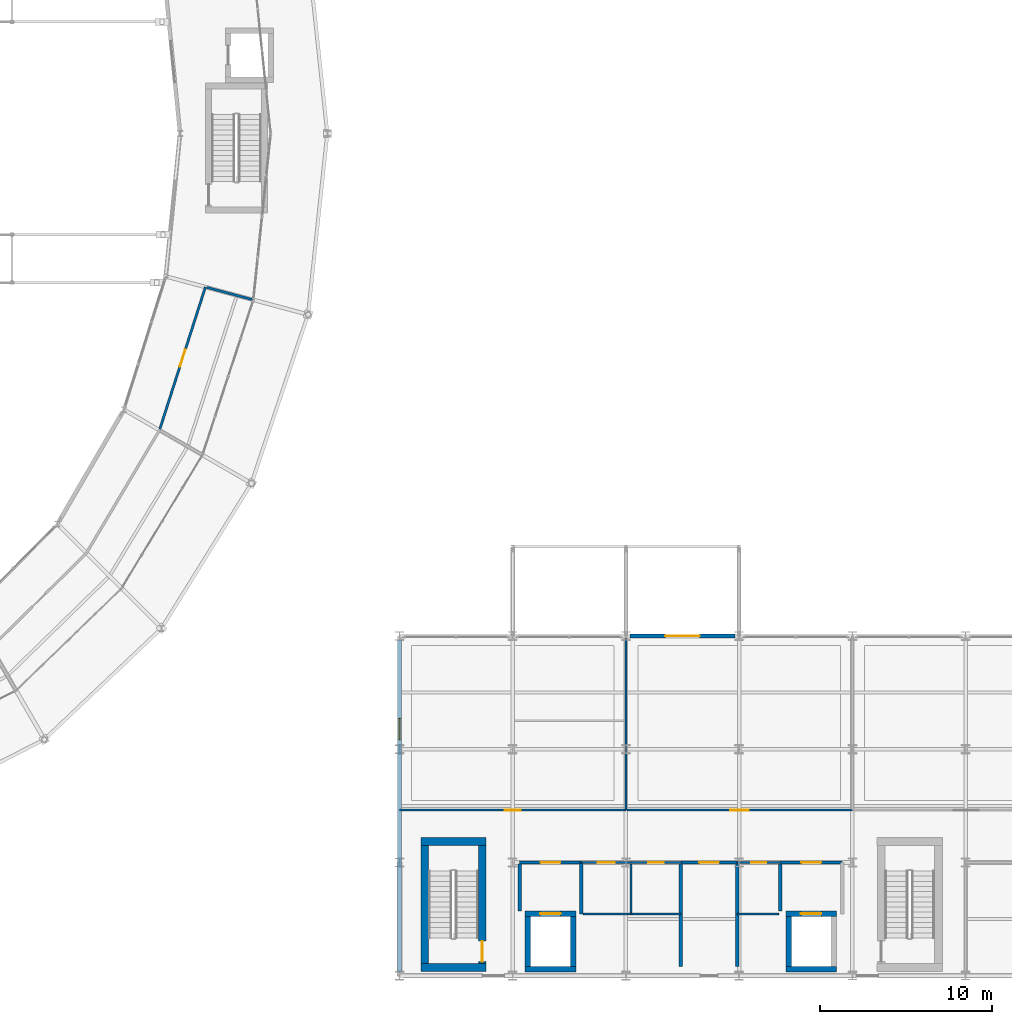
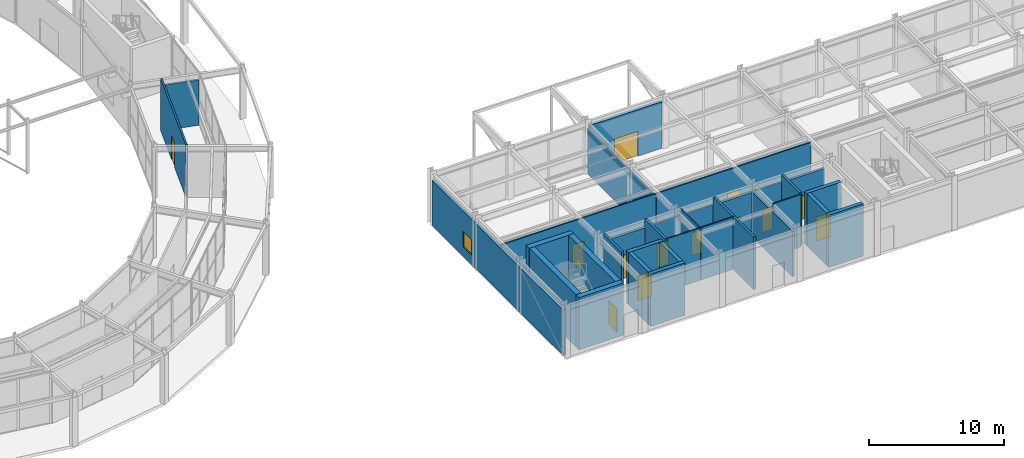
# One storey, part 124 of 144: 33 walls, 13 doors, 1 window, 14 openings.
"""IFC4 building model written with IfcOpenShell, lengths in metres."""

import ifcopenshell
import ifcopenshell.guid

model = None  # the IFC model being written
_history = None  # IfcOwnerHistory: only IFC2X3 demands one
_inside = {}  # id of a spatial element -> (the spatial element, [elements in it])
_under = {}  # id of a project, library or spatial element -> (it, [spatial elements below it])
_declared = {}  # id of a project -> (the project, [libraries it declares])
_typed = {}  # id of a type object -> (the type object, [elements of that type])
_made_of = {}  # id of a material, layer set ... -> (it, [elements and type objects made of it])


def new_model(schema):
    """Start an empty IFC model of exactly this schema.

    Asked for "IFC4X3", IfcOpenShell would pick the latest addendum, in which some entities
    have other attributes; the version numbers below select the first issue.
    IFC2X3 requires an IfcOwnerHistory on every rooted entity: one is made here for all.
    """
    global model, _history
    if schema == "IFC4X3":
        model = ifcopenshell.file(schema_version=(4, 3, 0, 0))
    else:
        model = ifcopenshell.file(schema=schema)
    _inside.clear()
    _under.clear()
    _declared.clear()
    _typed.clear()
    _made_of.clear()
    _history = None
    if model.schema == "IFC2X3":
        org = make("IfcOrganization", Name="unknown")
        user = make(
            "IfcPersonAndOrganization",
            ThePerson=make("IfcPerson", FamilyName="unknown"),
            TheOrganization=org,
        )
        app = make(
            "IfcApplication",
            ApplicationDeveloper=org,
            Version="unknown",
            ApplicationFullName="unknown",
            ApplicationIdentifier="unknown",
        )
        _history = make(
            "IfcOwnerHistory",
            OwningUser=user,
            OwningApplication=app,
            ChangeAction="ADDED",
            CreationDate=0,
        )
    return model


def make(cls, **values):
    """One entity of the class cls with the attributes given. An attribute that is None is left unset."""
    return model.create_entity(
        cls, **{name: value for name, value in values.items() if value is not None}
    )


def rooted(cls, **values):
    """An entity with a GlobalId (a new one), such as an element, a storey or a relation."""
    return make(cls, GlobalId=ifcopenshell.guid.new(), OwnerHistory=_history, **values)


def si_unit(unit_type, name, prefix=None):
    """IfcSIUnit, for example si_unit("LENGTHUNIT", "METRE", prefix="MILLI")."""
    return make("IfcSIUnit", UnitType=unit_type, Prefix=prefix, Name=name)


def assignment(units):
    """IfcUnitAssignment: the units of a project."""
    return None if units is None else make("IfcUnitAssignment", Units=units)


def point(xyz):
    """IfcCartesianPoint."""
    return None if xyz is None else make("IfcCartesianPoint", Coordinates=xyz)


def direction(xyz):
    """IfcDirection."""
    return None if xyz is None else make("IfcDirection", DirectionRatios=xyz)


def frame(location, z_axis=None, x_axis=None):
    """IfcAxis2Placement3D, a coordinate frame: its origin and axes. An axis left out is left unset."""
    return make(
        "IfcAxis2Placement3D",
        Location=point(location),
        Axis=direction(z_axis),
        RefDirection=direction(x_axis),
    )


def frame_2d(location, x_axis=None):
    """IfcAxis2Placement2D, a coordinate frame in the plane: its origin and x axis."""
    return make(
        "IfcAxis2Placement2D", Location=point(location), RefDirection=direction(x_axis)
    )


def origin():
    """The frame at (0, 0, 0) with its axes left unset."""
    return frame((0.0, 0.0, 0.0))


def place(relative_to, where):
    """IfcLocalPlacement: puts the frame where relative to a parent placement (None: the world)."""
    return make(
        "IfcLocalPlacement", PlacementRelTo=relative_to, RelativePlacement=where
    )


def context(
    kind, dimensions, precision=None, world=None, true_north=None, identifier=None
):
    """IfcGeometricRepresentationContext, for example the 3D "Model" context."""
    return make(
        "IfcGeometricRepresentationContext",
        ContextIdentifier=identifier,
        ContextType=kind,
        CoordinateSpaceDimension=dimensions,
        Precision=precision,
        WorldCoordinateSystem=world,
        TrueNorth=true_north,
    )


def subcontext(parent, identifier, kind, view, scale=None):
    """IfcGeometricRepresentationSubContext, for example "Body" below "Model"."""
    return make(
        "IfcGeometricRepresentationSubContext",
        ContextIdentifier=identifier,
        ContextType=kind,
        ParentContext=parent,
        TargetScale=scale,
        TargetView=view,
    )


def project(units=None, contexts=None):
    """IfcProject with its units and contexts."""
    return rooted(
        "IfcProject",
        Name="project",
        RepresentationContexts=contexts,
        UnitsInContext=assignment(units),
    )


def spatial(cls, under=None, at=None, **own):
    """A site, building, storey or space (cls), placed at a placement, below another one or the project."""
    s = rooted(cls, ObjectPlacement=at, **own)
    if under is not None:
        _under.setdefault(under.id(), (under, []))[1].append(s)
    return s


def profile(cls, at=None, kind="AREA", **sizes):
    """A parametric profile (cls). Its sizes go by their IFC names, for example OverallWidth=200.0."""
    return make(cls, ProfileType=kind, Position=at, **sizes)


def rectangle(**sizes):
    """IfcRectangleProfileDef."""
    return profile("IfcRectangleProfileDef", **sizes)


def extrude(swept, where, along, depth):
    """IfcExtrudedAreaSolid: the profile swept, set in the frame where, extruded along a direction by depth."""
    return make(
        "IfcExtrudedAreaSolid",
        SweptArea=swept,
        Position=where,
        ExtrudedDirection=direction(along),
        Depth=depth,
    )


def shape(context_of_items, identifier, shape_type, items):
    """IfcShapeRepresentation: the items that make up one representation, for example the "Body"."""
    return make(
        "IfcShapeRepresentation",
        ContextOfItems=context_of_items,
        RepresentationIdentifier=identifier,
        RepresentationType=shape_type,
        Items=items,
    )


def material(Name=None, Category=None):
    """IfcMaterial."""
    return make("IfcMaterial", Name=Name, Category=Category)


def layer(
    of_material, thickness, ventilated=None, Name=None, Category=None, Priority=None
):
    """IfcMaterialLayer: one layer of a wall or slab, of a material (None: an air gap)."""
    return make(
        "IfcMaterialLayer",
        Material=of_material,
        LayerThickness=thickness,
        IsVentilated=ventilated,
        Name=Name,
        Category=Category,
        Priority=Priority,
    )


def layer_set(layers, Name=None):
    """IfcMaterialLayerSet."""
    return make("IfcMaterialLayerSet", MaterialLayers=layers, LayerSetName=Name)


def made_of(thing, what):
    """Note that an element or type object is made of a material, layer set ...; save() writes the relation."""
    if what is not None:
        _made_of.setdefault(what.id(), (what, []))[1].append(thing)
    return thing


def type_object(cls, material=None, **own):
    """A type object (cls), such as IfcWallType, which elements share."""
    return made_of(rooted(cls, **own), material)


def element(
    cls,
    number,
    at=None,
    inside=None,
    cuts=None,
    type_object=None,
    material=None,
    context=None,
    identifier="Body",
    shape_type=None,
    held_by="IfcProductDefinitionShape",
    body=None,
    shapes=None,
    **own,
):
    """One element of the class cls, such as IfcWall. Its Tag is "e" and its number.

    at: its placement. inside: the storey or other place that contains it. cuts: it is an
    opening in that element (IfcRelVoidsElement). A single representation is given by context,
    identifier, shape_type and body (its items); several are given by shapes. held_by: the class
    of the entity that holds the representations. save() writes the other relations.
    """
    e = rooted(cls, Tag="e%d" % number, ObjectPlacement=at, **own)
    if body is not None:
        shapes = [shape(context, identifier, shape_type, body)]
    if shapes is not None:
        e.Representation = make(held_by, Representations=shapes)
    if inside is not None:
        _inside.setdefault(inside.id(), (inside, []))[1].append(e)
    if cuts is not None:
        rooted(
            "IfcRelVoidsElement", RelatingBuildingElement=cuts, RelatedOpeningElement=e
        )
    if type_object is not None:
        _typed.setdefault(type_object.id(), (type_object, []))[1].append(e)
    return made_of(e, material)


def fill(opening, filler):
    """IfcRelFillsElement: the door or window that sits in an opening."""
    return rooted(
        "IfcRelFillsElement",
        RelatingOpeningElement=opening,
        RelatedBuildingElement=filler,
    )


def aggregate(whole, parts):
    """IfcRelAggregates: a whole, such as a stair, and the parts it consists of."""
    return rooted("IfcRelAggregates", RelatingObject=whole, RelatedObjects=parts)


def save(model, path):
    """Write the relations noted so far, then the file.

    IfcRelAggregates (storeys below a building ...), IfcRelContainedInSpatialStructure (elements
    in a storey), IfcRelDefinesByType, IfcRelAssociatesMaterial and IfcRelDeclares: one each for
    every whole, place, type object, material and project.
    """
    for whole, parts in _under.values():
        aggregate(whole, parts)
    for where, things in _inside.values():
        rooted(
            "IfcRelContainedInSpatialStructure",
            RelatedElements=things,
            RelatingStructure=where,
        )
    for kind, things in _typed.values():
        rooted("IfcRelDefinesByType", RelatedObjects=things, RelatingType=kind)
    for what, things in _made_of.values():
        rooted("IfcRelAssociatesMaterial", RelatedObjects=things, RelatingMaterial=what)
    for by, libraries in _declared.values():
        rooted("IfcRelDeclares", RelatingContext=by, RelatedDefinitions=libraries)
    model.write(path)


model = new_model("IFC4")

# Units and contexts
model_context = context("Model", 3, precision=1e-05, world=origin(), true_north=direction((0.0, 1.0)))
body_context = subcontext(model_context, "Body", "Model", "MODEL_VIEW")
ifc_project = project(units=[si_unit("LENGTHUNIT", "METRE"), si_unit("AREAUNIT", "SQUARE_METRE"), si_unit("VOLUMEUNIT", "CUBIC_METRE"), si_unit("PLANEANGLEUNIT", "RADIAN"), si_unit("MASSUNIT", "GRAM", prefix="KILO")], contexts=[model_context])

# Site, building, storey
site_placement = place(None, origin())
site = spatial("IfcSite", under=ifc_project, at=site_placement, CompositionType="ELEMENT")
building_placement = place(site_placement, origin())
building = spatial("IfcBuilding", under=site, at=building_placement, Name="Karori Crest Natural Sciences Institute", CompositionType="ELEMENT")
storey_placement = place(building_placement, origin())
storey = spatial("IfcBuildingStorey", under=building, at=storey_placement, Name="L00", CompositionType="ELEMENT", Elevation=0.0)

# Walls
ifc_material_1 = material(Name="Concrete 50 MPa", Category="concrete")
ifc_layer_1 = layer(ifc_material_1, 0.449951171875, Name="Concrete 50 MPa")
ifc_layer_set_1 = layer_set([ifc_layer_1], Name="Concrete 50 MPa")
wall_type_1 = type_object("IfcWallType", Name="IWT-01", PredefinedType="SHEAR", material=ifc_layer_set_1)
for number, where, z_axis, x_axis, name in (
    (1, (104.85009765625, 1.27490234375, 0.0), (0.0, 0.0, 1.0), (1.0, 0.0, 0.0), "Shear wall IW-0073"),
    (2, (104.85009765625, 8.625, 0.0), (0.0, 0.0, 1.0), (1.0, 0.0, 0.0), "Shear wall IW-0074"),
):
    element("IfcWall", number, at=place(storey_placement, frame(where, z_axis=z_axis, x_axis=x_axis)), inside=storey, type_object=wall_type_1, Name=name, PredefinedType="SHEAR", context=body_context, shape_type="SweptSolid", body=[
        extrude(rectangle(XDim=3.7998046875, YDim=0.449951171875, at=frame_2d((1.89990234375, 0.0))), origin(), (0.0, 0.0, 1.0), 4.719970703125),
    ])
wall_1_placement = place(storey_placement, frame((105.074951171875, 1.501953125, 0.0), z_axis=(0.0, 0.0, 1.0), x_axis=(0.0, 1.0, 0.0)))
element("IfcWall", 3, at=wall_1_placement, inside=storey, type_object=wall_type_1, Name="Shear wall IW-0075", PredefinedType="SHEAR", context=body_context, shape_type="SweptSolid", body=[
    extrude(rectangle(XDim=6.89599609375, YDim=0.449951171875, at=frame_2d((3.447998046875, 0.0))), origin(), (0.0, 0.0, 1.0), 4.719970703125),
])

# Wall, opening, door
wall_2_placement = place(storey_placement, frame((108.425048828125, 1.501953125, 0.0), z_axis=(0.0, 0.0, 1.0), x_axis=(0.0, 1.0, 0.0)))
wall_2 = element("IfcWall", 4, at=wall_2_placement, inside=storey, type_object=wall_type_1, Name="Shear wall IW-0076", PredefinedType="SHEAR", context=body_context, shape_type="SweptSolid", body=[
    extrude(rectangle(XDim=6.89599609375, YDim=0.449951171875, at=frame_2d((3.447998046875, 0.0))), origin(), (0.0, 0.0, 1.0), 4.719970703125),
])
opening_1_placement = place(wall_2_placement, frame((0.1201171875, 0.0, 0.0)))
opening_1 = element("IfcOpeningElement", 5, at=opening_1_placement, cuts=wall_2, Name="Opening ID-0019", PredefinedType="OPENING", context=body_context, shape_type="SweptSolid", body=[
    extrude(rectangle(XDim=1.199951171875, YDim=2.14990234375, at=frame_2d((0.60009765625, 1.074951171875))), frame((0.0, 0.23486328125, 0.0), z_axis=(0.0, -1.0, 0.0), x_axis=(1.0, 0.0, 0.0)), (0.0, 0.0, 1.0), 0.469970703125),
])
ifc_material_2 = material(Name="Stainless steel 316 and fire-rated timber", Category="steel")
door_type_1 = type_object("IfcDoorType", Name="IDT-01", OperationType="NOTDEFINED", PredefinedType="DOOR", material=ifc_material_2)
door_1_placement = place(opening_1_placement, origin())
door_1 = element("IfcDoor", 6, at=door_1_placement, inside=storey, type_object=door_type_1, Name="Stair ST-03 fire door ID-0019", OperationType="SINGLE_SWING_LEFT", OverallHeight=2.14990234375, OverallWidth=1.199951171875, PredefinedType="DOOR", context=body_context, shape_type="SweptSolid", body=[
    extrude(rectangle(XDim=1.199951171875, YDim=2.14990234375, at=frame_2d((0.60009765625, 1.074951171875))), frame((0.0, 0.02490234375, 0.0), z_axis=(0.0, -1.0, 0.0), x_axis=(1.0, 0.0, 0.0)), (0.0, 0.0, 1.0), 0.050048828125),
])
fill(opening_1, door_1)

# Wall
ifc_layer_2 = layer(ifc_material_1, 0.320068359375, Name="Concrete 50 MPa")
ifc_layer_set_2 = layer_set([ifc_layer_2], Name="Concrete 50 MPa")
wall_type_2 = type_object("IfcWallType", Name="IWT-03", PredefinedType="SHEAR", material=ifc_layer_set_2)
wall_3_placement = place(storey_placement, frame((110.919921875, 1.179931640625, 0.0), z_axis=(0.0, 0.0, 1.0), x_axis=(1.0, 0.0, 0.0)))
element("IfcWall", 7, at=wall_3_placement, inside=storey, type_object=wall_type_2, Name="Shear wall IW-0309", PredefinedType="SHEAR", context=body_context, shape_type="SweptSolid", body=[
    extrude(rectangle(XDim=2.9599609375, YDim=0.320068359375, at=frame_2d((1.47998046875, 0.0))), origin(), (0.0, 0.0, 1.0), 4.719970703125),
])

# Wall, opening, door
wall_4_placement = place(storey_placement, frame((110.919921875, 4.419921875, 0.0), z_axis=(0.0, 0.0, 1.0), x_axis=(1.0, 0.0, 0.0)))
wall_4 = element("IfcWall", 8, at=wall_4_placement, inside=storey, type_object=wall_type_2, Name="Shear wall IW-0310", PredefinedType="SHEAR", context=body_context, shape_type="SweptSolid", body=[
    extrude(rectangle(XDim=2.9599609375, YDim=0.320068359375, at=frame_2d((1.47998046875, 0.0))), origin(), (0.0, 0.0, 1.0), 4.719970703125),
])
opening_2_placement = place(wall_4_placement, frame((0.8798828125, 0.0, 0.0)))
opening_2 = element("IfcOpeningElement", 9, at=opening_2_placement, cuts=wall_4, Name="Opening LD-0002", PredefinedType="OPENING", context=body_context, shape_type="SweptSolid", body=[
    extrude(rectangle(XDim=1.199951171875, YDim=2.199951171875, at=frame_2d((0.60009765625, 1.10009765625))), frame((0.0, 0.169921875, 0.0), z_axis=(0.0, -1.0, 0.0), x_axis=(1.0, 0.0, 0.0)), (0.0, 0.0, 1.0), 0.340087890625),
])
door_type_2 = type_object("IfcDoorType", Name="LDT-02", OperationType="SLIDING_TO_LEFT", PredefinedType="DOOR", material=ifc_material_2)
door_2_placement = place(opening_2_placement, origin())
door_2 = element("IfcDoor", 10, at=door_2_placement, inside=storey, type_object=door_type_2, Name="Lift LF-01 landing door LD-0002", OperationType="SLIDING_TO_LEFT", OverallHeight=2.199951171875, OverallWidth=1.199951171875, PredefinedType="DOOR", context=body_context, shape_type="SweptSolid", body=[
    extrude(rectangle(XDim=1.199951171875, YDim=2.199951171875, at=frame_2d((0.60009765625, 1.10009765625))), frame((0.0, 0.02490234375, 0.0), z_axis=(0.0, -1.0, 0.0), x_axis=(1.0, 0.0, 0.0)), (0.0, 0.0, 1.0), 0.050048828125),
])
fill(opening_2, door_2)

# Walls
for number, where, z_axis, x_axis, name in (
    (11, (111.080078125, 1.342041015625, 0.0), (0.0, 0.0, 1.0), (0.0, 1.0, 0.0), "Shear wall IW-0311"),
    (12, (113.719970703125, 1.342041015625, 0.0), (0.0, 0.0, 1.0), (0.0, 1.0, 0.0), "Shear wall IW-0312"),
):
    element("IfcWall", number, at=place(storey_placement, frame(where, z_axis=z_axis, x_axis=x_axis)), inside=storey, type_object=wall_type_2, Name=name, PredefinedType="SHEAR", context=body_context, shape_type="SweptSolid", body=[
        extrude(rectangle(XDim=2.916015625, YDim=0.320068359375, at=frame_2d((1.4580078125, 0.0))), origin(), (0.0, 0.0, 1.0), 4.719970703125),
    ])
wall_5_placement = place(storey_placement, frame((126.1201171875, 1.179931640625, 0.0), z_axis=(0.0, 0.0, 1.0), x_axis=(1.0, 0.0, 0.0)))
element("IfcWall", 13, at=wall_5_placement, inside=storey, type_object=wall_type_2, Name="Shear wall IW-0357", PredefinedType="SHEAR", context=body_context, shape_type="SweptSolid", body=[
    extrude(rectangle(XDim=2.9599609375, YDim=0.320068359375, at=frame_2d((1.47998046875, 0.0))), origin(), (0.0, 0.0, 1.0), 4.719970703125),
])

# Wall, opening, door
wall_6_placement = place(storey_placement, frame((126.1201171875, 4.419921875, 0.0), z_axis=(0.0, 0.0, 1.0), x_axis=(1.0, 0.0, 0.0)))
wall_6 = element("IfcWall", 14, at=wall_6_placement, inside=storey, type_object=wall_type_2, Name="Shear wall IW-0358", PredefinedType="SHEAR", context=body_context, shape_type="SweptSolid", body=[
    extrude(rectangle(XDim=2.9599609375, YDim=0.320068359375, at=frame_2d((1.47998046875, 0.0))), origin(), (0.0, 0.0, 1.0), 4.719970703125),
])
opening_3_placement = place(wall_6_placement, frame((0.8798828125, 0.0, 0.0)))
opening_3 = element("IfcOpeningElement", 15, at=opening_3_placement, cuts=wall_6, Name="Opening LD-0014", PredefinedType="OPENING", context=body_context, shape_type="SweptSolid", body=[
    extrude(rectangle(XDim=1.199951171875, YDim=2.199951171875, at=frame_2d((0.60009765625, 1.10009765625))), frame((0.0, 0.169921875, 0.0), z_axis=(0.0, -1.0, 0.0), x_axis=(1.0, 0.0, 0.0)), (0.0, 0.0, 1.0), 0.340087890625),
])
door_3_placement = place(opening_3_placement, origin())
door_3 = element("IfcDoor", 16, at=door_3_placement, inside=storey, type_object=door_type_2, Name="Lift LF-02 landing door LD-0014", OperationType="SLIDING_TO_LEFT", OverallHeight=2.199951171875, OverallWidth=1.199951171875, PredefinedType="DOOR", context=body_context, shape_type="SweptSolid", body=[
    extrude(rectangle(XDim=1.199951171875, YDim=2.199951171875, at=frame_2d((0.60009765625, 1.10009765625))), frame((0.0, 0.02490234375, 0.0), z_axis=(0.0, -1.0, 0.0), x_axis=(1.0, 0.0, 0.0)), (0.0, 0.0, 1.0), 0.050048828125),
])
fill(opening_3, door_3)

# Wall
wall_7_placement = place(storey_placement, frame((126.280029296875, 1.342041015625, 0.0), z_axis=(0.0, 0.0, 1.0), x_axis=(0.0, 1.0, 0.0)))
element("IfcWall", 17, at=wall_7_placement, inside=storey, type_object=wall_type_2, Name="Shear wall IW-0359", PredefinedType="SHEAR", context=body_context, shape_type="SweptSolid", body=[
    extrude(rectangle(XDim=2.916015625, YDim=0.320068359375, at=frame_2d((1.4580078125, 0.0))), origin(), (0.0, 0.0, 1.0), 4.719970703125),
])

# Wall, opening, door
ifc_material_3 = material(Name="Concrete 40 MPa", Category="concrete")
ifc_layer_3 = layer(ifc_material_3, 0.199951171875, Name="Concrete 40 MPa")
ifc_layer_set_3 = layer_set([ifc_layer_3], Name="Concrete 40 MPa")
wall_type_3 = type_object("IfcWallType", Name="IWT-04", PredefinedType="SOLIDWALL", material=ifc_layer_set_3)
wall_8_placement = place(storey_placement, frame((110.60009765625, 7.39990234375, 0.0), z_axis=(0.0, 0.0, 1.0), x_axis=(1.0, 0.0, 0.0)))
wall_8 = element("IfcWall", 18, at=wall_8_placement, inside=storey, type_object=wall_type_3, Name="Partition wall IW-0575", PredefinedType="SOLIDWALL", context=body_context, shape_type="SweptSolid", body=[
    extrude(rectangle(XDim=3.599853515625, YDim=0.199951171875, at=frame_2d((1.7998046875, 0.0))), origin(), (0.0, 0.0, 1.0), 3.992919921875),
])
opening_4_placement = place(wall_8_placement, frame((1.22509765625, 0.0, 0.0)))
opening_4 = element("IfcOpeningElement", 19, at=opening_4_placement, cuts=wall_8, Name="Opening ID-0087", PredefinedType="OPENING", context=body_context, shape_type="SweptSolid", body=[
    extrude(rectangle(XDim=1.14990234375, YDim=2.14990234375, at=frame_2d((0.574951171875, 1.074951171875))), frame((0.0, 0.10986328125, 0.0), z_axis=(0.0, -1.0, 0.0), x_axis=(1.0, 0.0, 0.0)), (0.0, 0.0, 1.0), 0.219970703125),
])
door_type_3 = type_object("IfcDoorType", Name="IDT-02", OperationType="NOTDEFINED", PredefinedType="DOOR", material=ifc_material_2)
door_4_placement = place(opening_4_placement, origin())
door_4 = element("IfcDoor", 20, at=door_4_placement, inside=storey, type_object=door_type_3, Name="Firefighting Lift Lobby West door ID-0087", OperationType="SINGLE_SWING_LEFT", OverallHeight=2.14990234375, OverallWidth=1.14990234375, PredefinedType="DOOR", context=body_context, shape_type="SweptSolid", body=[
    extrude(rectangle(XDim=1.14990234375, YDim=2.14990234375, at=frame_2d((0.574951171875, 1.074951171875))), frame((0.0, 0.02490234375, 0.0), z_axis=(0.0, -1.0, 0.0), x_axis=(1.0, 0.0, 0.0)), (0.0, 0.0, 1.0), 0.050048828125),
])
fill(opening_4, door_4)

# Walls
wall_9_placement = place(storey_placement, frame((110.60009765625, 4.58203125, 0.0), z_axis=(0.0, 0.0, 1.0), x_axis=(0.0, 1.0, 0.0)))
element("IfcWall", 21, at=wall_9_placement, inside=storey, type_object=wall_type_3, Name="Partition wall IW-0576", PredefinedType="SOLIDWALL", context=body_context, shape_type="SweptSolid", body=[
    extrude(rectangle(XDim=2.716064453125, YDim=0.199951171875, at=frame_2d((1.35791015625, 0.0))), origin(), (0.0, 0.0, 1.0), 4.719970703125),
])
wall_10_placement = place(storey_placement, frame((114.199951171875, 4.39990234375, 0.0), z_axis=(0.0, 0.0, 1.0), x_axis=(0.0, 1.0, 0.0)))
element("IfcWall", 22, at=wall_10_placement, inside=storey, type_object=wall_type_3, Name="Partition wall IW-0577", PredefinedType="SOLIDWALL", context=body_context, shape_type="SweptSolid", body=[
    extrude(rectangle(XDim=3.0, YDim=0.199951171875, at=frame_2d((1.5, 0.0))), origin(), (0.0, 0.0, 1.0), 4.719970703125),
])

# Wall, opening, door
wall_11_placement = place(storey_placement, frame((125.800048828125, 7.39990234375, 0.0), z_axis=(0.0, 0.0, 1.0), x_axis=(1.0, 0.0, 0.0)))
wall_11 = element("IfcWall", 23, at=wall_11_placement, inside=storey, type_object=wall_type_3, Name="Partition wall IW-0578", PredefinedType="SOLIDWALL", context=body_context, shape_type="SweptSolid", body=[
    extrude(rectangle(XDim=3.599853515625, YDim=0.199951171875, at=frame_2d((1.7998046875, 0.0))), origin(), (0.0, 0.0, 1.0), 3.992919921875),
])
opening_5_placement = place(wall_11_placement, frame((1.22509765625, 0.0, 0.0)))
opening_5 = element("IfcOpeningElement", 24, at=opening_5_placement, cuts=wall_11, Name="Opening ID-0088", PredefinedType="OPENING", context=body_context, shape_type="SweptSolid", body=[
    extrude(rectangle(XDim=1.14990234375, YDim=2.14990234375, at=frame_2d((0.574951171875, 1.074951171875))), frame((0.0, 0.10986328125, 0.0), z_axis=(0.0, -1.0, 0.0), x_axis=(1.0, 0.0, 0.0)), (0.0, 0.0, 1.0), 0.219970703125),
])
door_5_placement = place(opening_5_placement, origin())
door_5 = element("IfcDoor", 25, at=door_5_placement, inside=storey, type_object=door_type_3, Name="Firefighting Lift Lobby East door ID-0088", OperationType="SINGLE_SWING_RIGHT", OverallHeight=2.14990234375, OverallWidth=1.14990234375, PredefinedType="DOOR", context=body_context, shape_type="SweptSolid", body=[
    extrude(rectangle(XDim=1.14990234375, YDim=2.14990234375, at=frame_2d((0.574951171875, 1.074951171875))), frame((0.0, 0.02490234375, 0.0), z_axis=(0.0, -1.0, 0.0), x_axis=(1.0, 0.0, 0.0)), (0.0, 0.0, 1.0), 0.050048828125),
])
fill(opening_5, door_5)

# Wall
wall_12_placement = place(storey_placement, frame((125.800048828125, 4.58203125, 0.0), z_axis=(0.0, 0.0, 1.0), x_axis=(0.0, 1.0, 0.0)))
element("IfcWall", 26, at=wall_12_placement, inside=storey, type_object=wall_type_3, Name="Partition wall IW-0579", PredefinedType="SOLIDWALL", context=body_context, shape_type="SweptSolid", body=[
    extrude(rectangle(XDim=2.716064453125, YDim=0.199951171875, at=frame_2d((1.35791015625, 0.0))), origin(), (0.0, 0.0, 1.0), 4.719970703125),
])

# Wall, opening, door
wall_13_placement = place(storey_placement, frame((120.0, 7.39990234375, 0.0), z_axis=(0.0, 0.0, 1.0), x_axis=(1.0, 0.0, 0.0)))
wall_13 = element("IfcWall", 27, at=wall_13_placement, inside=storey, type_object=wall_type_3, Name="Partition wall IW-0581", PredefinedType="SOLIDWALL", context=body_context, shape_type="SweptSolid", body=[
    extrude(rectangle(XDim=3.300048828125, YDim=0.199951171875, at=frame_2d((1.64990234375, 0.0))), origin(), (0.0, 0.0, 1.0), 3.992919921875),
])
opening_6_placement = place(wall_13_placement, frame((1.074951171875, 0.0, 0.0)))
opening_6 = element("IfcOpeningElement", 28, at=opening_6_placement, cuts=wall_13, Name="Opening ID-0089", PredefinedType="OPENING", context=body_context, shape_type="SweptSolid", body=[
    extrude(rectangle(XDim=1.14990234375, YDim=2.14990234375, at=frame_2d((0.574951171875, 1.074951171875))), frame((0.0, 0.10986328125, 0.0), z_axis=(0.0, -1.0, 0.0), x_axis=(1.0, 0.0, 0.0)), (0.0, 0.0, 1.0), 0.219970703125),
])
door_6_placement = place(opening_6_placement, origin())
door_6 = element("IfcDoor", 29, at=door_6_placement, inside=storey, type_object=door_type_3, Name="Fire Control Room door ID-0089", OperationType="SINGLE_SWING_LEFT", OverallHeight=2.14990234375, OverallWidth=1.14990234375, PredefinedType="DOOR", context=body_context, shape_type="SweptSolid", body=[
    extrude(rectangle(XDim=1.14990234375, YDim=2.14990234375, at=frame_2d((0.574951171875, 1.074951171875))), frame((0.0, 0.02490234375, 0.0), z_axis=(0.0, -1.0, 0.0), x_axis=(1.0, 0.0, 0.0)), (0.0, 0.0, 1.0), 0.050048828125),
])
fill(opening_6, door_6)

# Walls
wall_14_placement = place(storey_placement, frame((120.0, 1.342041015625, 0.0), z_axis=(0.0, 0.0, 1.0), x_axis=(0.0, 1.0, 0.0)))
element("IfcWall", 30, at=wall_14_placement, inside=storey, type_object=wall_type_3, Name="Partition wall IW-0582", PredefinedType="SOLIDWALL", context=body_context, shape_type="SweptSolid", body=[
    extrude(rectangle(XDim=5.9560546875, YDim=0.199951171875, at=frame_2d((2.97802734375, 0.0))), origin(), (0.0, 0.0, 1.0), 4.719970703125),
])
wall_15_placement = place(storey_placement, frame((123.300048828125, 1.342041015625, 0.0), z_axis=(0.0, 0.0, 1.0), x_axis=(0.0, 1.0, 0.0)))
element("IfcWall", 31, at=wall_15_placement, inside=storey, type_object=wall_type_3, Name="Partition wall IW-0583", PredefinedType="SOLIDWALL", context=body_context, shape_type="SweptSolid", body=[
    extrude(rectangle(XDim=5.9560546875, YDim=0.199951171875, at=frame_2d((2.97802734375, 0.0))), origin(), (0.0, 0.0, 1.0), 4.072021484375),
])

# Wall, opening, door
ifc_material_4 = material(Name="Laboratory acoustic drywall partition")
ifc_layer_4 = layer(ifc_material_4, 0.139892578125, Name="Laboratory acoustic drywall partition")
ifc_layer_set_4 = layer_set([ifc_layer_4], Name="Laboratory acoustic drywall partition")
wall_type_4 = type_object("IfcWallType", Name="IWT-07", PredefinedType="PARTITIONING", material=ifc_layer_set_4)
wall_16_placement = place(storey_placement, frame((89.632080078125, 32.670166015625, 0.0), z_axis=(0.0, 0.0, 1.0), x_axis=(0.305495322231, 0.952193577008, 0.0)))
wall_16 = element("IfcWall", 32, at=wall_16_placement, inside=storey, type_object=wall_type_4, Name="Partition wall IW-1207", PredefinedType="PARTITIONING", context=body_context, shape_type="SweptSolid", body=[
    extrude(rectangle(XDim=8.690185546875, YDim=0.139892578125, at=frame_2d((4.34521484375, 0.0))), origin(), (0.0, 0.0, 1.0), 4.699951171875),
])
opening_7_placement = place(wall_16_placement, frame((3.820068359375, 0.0, 0.0)))
opening_7 = element("IfcOpeningElement", 33, at=opening_7_placement, cuts=wall_16, Name="Opening ID-0365", PredefinedType="OPENING", context=body_context, shape_type="SweptSolid", body=[
    extrude(rectangle(XDim=1.050048828125, YDim=2.14990234375, at=frame_2d((0.52490234375, 1.074951171875))), frame((0.0, 0.080078125, 0.0), z_axis=(0.0, -1.0, 0.0), x_axis=(1.0, 0.0, 0.0)), (0.0, 0.0, 1.0), 0.159912109375),
])
door_type_4 = type_object("IfcDoorType", Name="IDT-03", OperationType="NOTDEFINED", PredefinedType="DOOR", material=ifc_material_2)
door_7_placement = place(opening_7_placement, origin())
door_7 = element("IfcDoor", 34, at=door_7_placement, inside=storey, type_object=door_type_4, Name="Paleoclimate Core Analysis Laboratory door ID-0365", OperationType="SINGLE_SWING_LEFT", OverallHeight=2.14990234375, OverallWidth=1.050048828125, PredefinedType="DOOR", context=body_context, shape_type="SweptSolid", body=[
    extrude(rectangle(XDim=1.050048828125, YDim=2.14990234375, at=frame_2d((0.52490234375, 1.074951171875))), frame((0.0, 0.02490234375, 0.0), z_axis=(0.0, -1.0, 0.0), x_axis=(1.0, 0.0, 0.0)), (0.0, 0.0, 1.0), 0.050048828125),
])
fill(opening_7, door_7)

# Wall
wall_17_placement = place(storey_placement, frame((92.364013671875, 40.92431640625, 0.0), z_axis=(0.0, 0.0, 1.0), x_axis=(0.965903824193, -0.258901144086, 0.0)))
element("IfcWall", 35, at=wall_17_placement, inside=storey, type_object=wall_type_4, Name="Partition wall IW-1208", PredefinedType="PARTITIONING", context=body_context, shape_type="SweptSolid", body=[
    extrude(rectangle(XDim=2.760009765625, YDim=0.139892578125, at=frame_2d((1.3798828125, 0.0))), origin(), (0.0, 0.0, 1.0), 4.092041015625),
])

# Wall, opening, door
ifc_material_5 = material(Name="Write-up office acoustic partition")
ifc_layer_5 = layer(ifc_material_5, 0.1201171875, Name="Write-up office acoustic partition")
ifc_layer_set_5 = layer_set([ifc_layer_5], Name="Write-up office acoustic partition")
wall_type_5 = type_object("IfcWallType", Name="IWT-08", PredefinedType="PARTITIONING", material=ifc_layer_set_5)
wall_18_placement = place(storey_placement, frame((103.60009765625, 10.449951171875, 0.0), z_axis=(0.0, 0.0, 1.0), x_axis=(1.0, 0.0, 0.0)))
wall_18 = element("IfcWall", 36, at=wall_18_placement, inside=storey, type_object=wall_type_5, Name="Partition wall IW-0595", PredefinedType="PARTITIONING", context=body_context, shape_type="SweptSolid", body=[
    extrude(rectangle(XDim=13.199951171875, YDim=0.1201171875, at=frame_2d((6.60009765625, 0.0))), origin(), (0.0, 0.0, 1.0), 4.24609375),
])
opening_8_placement = place(wall_18_placement, frame((6.125, 0.0, 0.0)))
opening_8 = element("IfcOpeningElement", 37, at=opening_8_placement, cuts=wall_18, Name="Opening ID-0095", PredefinedType="OPENING", context=body_context, shape_type="SweptSolid", body=[
    extrude(rectangle(XDim=0.949951171875, YDim=2.10009765625, at=frame_2d((0.47509765625, 1.050048828125))), frame((0.0, 0.070068359375, 0.0), z_axis=(0.0, -1.0, 0.0), x_axis=(1.0, 0.0, 0.0)), (0.0, 0.0, 1.0), 0.14013671875),
])
ifc_material_6 = material(Name="Anodised aluminium and acoustic timber", Category="wood")
door_type_5 = type_object("IfcDoorType", Name="IDT-08", OperationType="NOTDEFINED", PredefinedType="DOOR", material=ifc_material_6)
door_8_placement = place(opening_8_placement, origin())
door_8 = element("IfcDoor", 38, at=door_8_placement, inside=storey, type_object=door_type_5, Name="Principal Investigator Suite door ID-0095", OperationType="SINGLE_SWING_LEFT", OverallHeight=2.10009765625, OverallWidth=0.949951171875, PredefinedType="DOOR", context=body_context, shape_type="SweptSolid", body=[
    extrude(rectangle(XDim=0.949951171875, YDim=2.10009765625, at=frame_2d((0.47509765625, 1.050048828125))), frame((0.0, 0.02490234375, 0.0), z_axis=(0.0, -1.0, 0.0), x_axis=(1.0, 0.0, 0.0)), (0.0, 0.0, 1.0), 0.050048828125),
])
fill(opening_8, door_8)

# Wall
wall_19_placement = place(storey_placement, frame((116.800048828125, 10.449951171875, 0.0), z_axis=(0.0, 0.0, 1.0), x_axis=(0.0, 1.0, 0.0)))
element("IfcWall", 39, at=wall_19_placement, inside=storey, type_object=wall_type_5, Name="Partition wall IW-0596", PredefinedType="PARTITIONING", context=body_context, shape_type="SweptSolid", body=[
    extrude(rectangle(XDim=10.028076171875, YDim=0.1201171875, at=frame_2d((5.01416015625, 0.0))), origin(), (0.0, 0.0, 1.0), 4.072021484375),
])

# Wall, opening, door
wall_20_placement = place(storey_placement, frame((116.862060546875, 10.449951171875, 0.0), z_axis=(0.0, 0.0, 1.0), x_axis=(1.0, 0.0, 0.0)))
wall_20 = element("IfcWall", 40, at=wall_20_placement, inside=storey, type_object=wall_type_5, Name="Partition wall IW-0597", PredefinedType="PARTITIONING", context=body_context, shape_type="SweptSolid", body=[
    extrude(rectangle(XDim=13.137939453125, YDim=0.1201171875, at=frame_2d((6.56884765625, 0.0))), origin(), (0.0, 0.0, 1.0), 4.24609375),
])
opening_9_placement = place(wall_20_placement, frame((6.029052734375, 0.0, 0.0)))
opening_9 = element("IfcOpeningElement", 41, at=opening_9_placement, cuts=wall_20, Name="Opening ID-0096", PredefinedType="OPENING", context=body_context, shape_type="SweptSolid", body=[
    extrude(rectangle(XDim=1.080078125, YDim=2.1201171875, at=frame_2d((0.5400390625, 1.06005859375))), frame((0.0, 0.070068359375, 0.0), z_axis=(0.0, -1.0, 0.0), x_axis=(1.0, 0.0, 0.0)), (0.0, 0.0, 1.0), 0.14013671875),
])
door_type_6 = type_object("IfcDoorType", Name="IDT-12", OperationType="NOTDEFINED", PredefinedType="DOOR", material=ifc_material_6)
door_9_placement = place(opening_9_placement, origin())
door_9 = element("IfcDoor", 42, at=door_9_placement, inside=storey, type_object=door_type_6, Name="Dry Research Studio door ID-0096", OperationType="SINGLE_SWING_RIGHT", OverallHeight=2.1201171875, OverallWidth=1.080078125, PredefinedType="DOOR", context=body_context, shape_type="SweptSolid", body=[
    extrude(rectangle(XDim=1.080078125, YDim=2.1201171875, at=frame_2d((0.5400390625, 1.06005859375))), frame((0.0, 0.02490234375, 0.0), z_axis=(0.0, -1.0, 0.0), x_axis=(1.0, 0.0, 0.0)), (0.0, 0.0, 1.0), 0.050048828125),
])
fill(opening_9, door_9)

# Wall
ifc_material_7 = material(Name="Washroom moisture-resistant partition")
ifc_layer_6 = layer(ifc_material_7, 0.10009765625, Name="Washroom moisture-resistant partition")
ifc_layer_set_6 = layer_set([ifc_layer_6], Name="Washroom moisture-resistant partition")
wall_type_6 = type_object("IfcWallType", Name="IWT-09", PredefinedType="PARTITIONING", material=ifc_layer_set_6)
wall_21_placement = place(storey_placement, frame((114.302001953125, 4.39990234375, 0.0), z_axis=(0.0, 0.0, 1.0), x_axis=(1.0, 0.0, 0.0)))
element("IfcWall", 43, at=wall_21_placement, inside=storey, type_object=wall_type_6, Name="Partition wall IW-0584", PredefinedType="PARTITIONING", context=body_context, shape_type="SweptSolid", body=[
    extrude(rectangle(XDim=2.798095703125, YDim=0.10009765625, at=frame_2d((1.39892578125, 0.0))), origin(), (0.0, 0.0, 1.0), 4.719970703125),
])

# Wall, opening, door
wall_22_placement = place(storey_placement, frame((114.201904296875, 7.39990234375, 0.0), z_axis=(0.0, 0.0, 1.0), x_axis=(1.0, 0.0, 0.0)))
wall_22 = element("IfcWall", 44, at=wall_22_placement, inside=storey, type_object=wall_type_6, Name="Partition wall IW-0585", PredefinedType="PARTITIONING", context=body_context, shape_type="SweptSolid", body=[
    extrude(rectangle(XDim=2.898193359375, YDim=0.10009765625, at=frame_2d((1.44921875, 0.0))), origin(), (0.0, 0.0, 1.0), 3.992919921875),
])
opening_10_placement = place(wall_22_placement, frame((0.948974609375, 0.0, 0.0)))
opening_10 = element("IfcOpeningElement", 45, at=opening_10_placement, cuts=wall_22, Name="Opening ID-0090", PredefinedType="OPENING", context=body_context, shape_type="SweptSolid", body=[
    extrude(rectangle(XDim=1.0, YDim=2.10009765625, at=frame_2d((0.5, 1.050048828125))), frame((0.0, 0.06005859375, 0.0), z_axis=(0.0, -1.0, 0.0), x_axis=(1.0, 0.0, 0.0)), (0.0, 0.0, 1.0), 0.1201171875),
])
door_type_7 = type_object("IfcDoorType", Name="IDT-09", OperationType="NOTDEFINED", PredefinedType="DOOR", material=ifc_material_6)
door_10_placement = place(opening_10_placement, origin())
door_10 = element("IfcDoor", 46, at=door_10_placement, inside=storey, type_object=door_type_7, Name="Accessible WC door ID-0090", OperationType="SINGLE_SWING_RIGHT", OverallHeight=2.10009765625, OverallWidth=1.0, PredefinedType="DOOR", context=body_context, shape_type="SweptSolid", body=[
    extrude(rectangle(XDim=1.0, YDim=2.10009765625, at=frame_2d((0.5, 1.050048828125))), frame((0.0, 0.02490234375, 0.0), z_axis=(0.0, -1.0, 0.0), x_axis=(1.0, 0.0, 0.0)), (0.0, 0.0, 1.0), 0.050048828125),
])
fill(opening_10, door_10)

# Walls
wall_23_placement = place(storey_placement, frame((117.10009765625, 4.39990234375, 0.0), z_axis=(0.0, 0.0, 1.0), x_axis=(0.0, 1.0, 0.0)))
element("IfcWall", 47, at=wall_23_placement, inside=storey, type_object=wall_type_6, Name="Partition wall IW-0586", PredefinedType="PARTITIONING", context=body_context, shape_type="SweptSolid", body=[
    extrude(rectangle(XDim=2.898193359375, YDim=0.10009765625, at=frame_2d((1.44921875, 0.0))), origin(), (0.0, 0.0, 1.0), 4.719970703125),
])
wall_24_placement = place(storey_placement, frame((117.152099609375, 4.39990234375, 0.0), z_axis=(0.0, 0.0, 1.0), x_axis=(1.0, 0.0, 0.0)))
element("IfcWall", 48, at=wall_24_placement, inside=storey, type_object=wall_type_6, Name="Partition wall IW-0587", PredefinedType="PARTITIONING", context=body_context, shape_type="SweptSolid", body=[
    extrude(rectangle(XDim=2.847900390625, YDim=0.10009765625, at=frame_2d((1.423828125, 0.0))), origin(), (0.0, 0.0, 1.0), 4.719970703125),
])

# Wall, opening, door
wall_25_placement = place(storey_placement, frame((117.10205078125, 7.39990234375, 0.0), z_axis=(0.0, 0.0, 1.0), x_axis=(1.0, 0.0, 0.0)))
wall_25 = element("IfcWall", 49, at=wall_25_placement, inside=storey, type_object=wall_type_6, Name="Partition wall IW-0588", PredefinedType="PARTITIONING", context=body_context, shape_type="SweptSolid", body=[
    extrude(rectangle(XDim=2.89599609375, YDim=0.10009765625, at=frame_2d((1.447998046875, 0.0))), origin(), (0.0, 0.0, 1.0), 3.992919921875),
])
opening_11_placement = place(wall_25_placement, frame((1.008056640625, 0.0, 0.0)))
opening_11 = element("IfcOpeningElement", 50, at=opening_11_placement, cuts=wall_25, Name="Opening ID-0091", PredefinedType="OPENING", context=body_context, shape_type="SweptSolid", body=[
    extrude(rectangle(XDim=0.8798828125, YDim=2.080078125, at=frame_2d((0.43994140625, 1.0400390625))), frame((0.0, 0.06005859375, 0.0), z_axis=(0.0, -1.0, 0.0), x_axis=(1.0, 0.0, 0.0)), (0.0, 0.0, 1.0), 0.1201171875),
])
door_type_8 = type_object("IfcDoorType", Name="IDT-10", OperationType="NOTDEFINED", PredefinedType="DOOR", material=ifc_material_6)
door_11_placement = place(opening_11_placement, origin())
door_11 = element("IfcDoor", 51, at=door_11_placement, inside=storey, type_object=door_type_8, Name="Female Washroom WC door ID-0091", OperationType="SINGLE_SWING_LEFT", OverallHeight=2.080078125, OverallWidth=0.8798828125, PredefinedType="DOOR", context=body_context, shape_type="SweptSolid", body=[
    extrude(rectangle(XDim=0.8798828125, YDim=2.080078125, at=frame_2d((0.43994140625, 1.0400390625))), frame((0.0, 0.02490234375, 0.0), z_axis=(0.0, -1.0, 0.0), x_axis=(1.0, 0.0, 0.0)), (0.0, 0.0, 1.0), 0.050048828125),
])
fill(opening_11, door_11)

# Wall
wall_26_placement = place(storey_placement, frame((123.300048828125, 4.39990234375, 0.0), z_axis=(0.0, 0.0, 1.0), x_axis=(1.0, 0.0, 0.0)))
element("IfcWall", 52, at=wall_26_placement, inside=storey, type_object=wall_type_6, Name="Partition wall IW-0589", PredefinedType="PARTITIONING", context=body_context, shape_type="SweptSolid", body=[
    extrude(rectangle(XDim=2.39794921875, YDim=0.10009765625, at=frame_2d((1.198974609375, 0.0))), origin(), (0.0, 0.0, 1.0), 4.719970703125),
])

# Wall, opening, door
wall_27_placement = place(storey_placement, frame((123.302001953125, 7.39990234375, 0.0), z_axis=(0.0, 0.0, 1.0), x_axis=(1.0, 0.0, 0.0)))
wall_27 = element("IfcWall", 53, at=wall_27_placement, inside=storey, type_object=wall_type_6, Name="Partition wall IW-0590", PredefinedType="PARTITIONING", context=body_context, shape_type="SweptSolid", body=[
    extrude(rectangle(XDim=2.49609375, YDim=0.10009765625, at=frame_2d((1.248046875, 0.0))), origin(), (0.0, 0.0, 1.0), 3.992919921875),
])
opening_12_placement = place(wall_27_placement, frame((0.80810546875, 0.0, 0.0)))
opening_12 = element("IfcOpeningElement", 54, at=opening_12_placement, cuts=wall_27, Name="Opening ID-0092", PredefinedType="OPENING", context=body_context, shape_type="SweptSolid", body=[
    extrude(rectangle(XDim=0.8798828125, YDim=2.080078125, at=frame_2d((0.43994140625, 1.0400390625))), frame((0.0, 0.06005859375, 0.0), z_axis=(0.0, -1.0, 0.0), x_axis=(1.0, 0.0, 0.0)), (0.0, 0.0, 1.0), 0.1201171875),
])
door_12_placement = place(opening_12_placement, origin())
door_12 = element("IfcDoor", 55, at=door_12_placement, inside=storey, type_object=door_type_8, Name="Male Washroom WC door ID-0092", OperationType="SINGLE_SWING_RIGHT", OverallHeight=2.080078125, OverallWidth=0.8798828125, PredefinedType="DOOR", context=body_context, shape_type="SweptSolid", body=[
    extrude(rectangle(XDim=0.8798828125, YDim=2.080078125, at=frame_2d((0.43994140625, 1.0400390625))), frame((0.0, 0.02490234375, 0.0), z_axis=(0.0, -1.0, 0.0), x_axis=(1.0, 0.0, 0.0)), (0.0, 0.0, 1.0), 0.050048828125),
])
fill(opening_12, door_12)

# Wall, opening, window
ifc_material_8 = material(Name="Precast concrete 40 MPa", Category="concrete")
ifc_layer_7 = layer(ifc_material_8, 0.239990234375, Name="Precast concrete 40 MPa")
ifc_layer_set_7 = layer_set([ifc_layer_7], Name="Precast concrete 40 MPa")
wall_type_7 = type_object("IfcWallType", Name="WT-04", PredefinedType="SOLIDWALL", material=ifc_layer_set_7)
wall_28_placement = place(storey_placement, frame((103.60009765625, 1.048095703125, 0.0), z_axis=(0.0, 0.0, 1.0), x_axis=(0.0, 1.0, 0.0)))
wall_28 = element("IfcWall", 56, at=wall_28_placement, inside=storey, type_object=wall_type_7, Name="Exterior wall EW-0193", PredefinedType="SOLIDWALL", context=body_context, shape_type="SweptSolid", body=[
    extrude(rectangle(XDim=19.303955078125, YDim=0.239990234375, at=frame_2d((9.65185546875, 0.0))), origin(), (0.0, 0.0, 1.0), 4.072021484375),
])
opening_13_placement = place(wall_28_placement, frame((13.5, 0.0, 0.85009765625)))
opening_13 = element("IfcOpeningElement", 57, at=opening_13_placement, cuts=wall_28, Name="Opening WN-0129", PredefinedType="OPENING", context=body_context, shape_type="SweptSolid", body=[
    extrude(rectangle(XDim=1.25, YDim=1.39990234375, at=frame_2d((0.625, 0.699951171875))), frame((0.0, 0.1298828125, 0.0), z_axis=(0.0, -1.0, 0.0), x_axis=(1.0, 0.0, 0.0)), (0.0, 0.0, 1.0), 0.260009765625),
])
ifc_material_9 = material(Name="Double low-E laminated glass", Category="glass")
window_type = type_object("IfcWindowType", Name="WNT-02", PartitioningType="SINGLE_PANEL", PredefinedType="WINDOW", material=ifc_material_9)
window_placement = place(opening_13_placement, origin())
window = element("IfcWindow", 58, at=window_placement, inside=storey, type_object=window_type, Name="Window WN-0129", OverallHeight=1.39990234375, OverallWidth=1.25, PartitioningType="SINGLE_PANEL", PredefinedType="WINDOW", context=body_context, shape_type="SweptSolid", body=[
    extrude(rectangle(XDim=1.25, YDim=1.39990234375, at=frame_2d((0.625, 0.699951171875))), frame((0.0, 0.030029296875, 0.0), z_axis=(0.0, -1.0, 0.0), x_axis=(1.0, 0.0, 0.0)), (0.0, 0.0, 1.0), 0.06005859375),
])
fill(opening_13, window)

# Wall, opening, door
wall_29_placement = place(storey_placement, frame((117.048095703125, 20.60009765625, 0.0), z_axis=(0.0, 0.0, 1.0), x_axis=(1.0, 0.0, 0.0)))
wall_29 = element("IfcWall", 59, at=wall_29_placement, inside=storey, type_object=wall_type_7, Name="Exterior wall EW-0194", PredefinedType="SOLIDWALL", context=body_context, shape_type="SweptSolid", body=[
    extrude(rectangle(XDim=6.10400390625, YDim=0.239990234375, at=frame_2d((3.052001953125, 0.0))), origin(), (0.0, 0.0, 1.0), 4.205078125),
])
opening_14_placement = place(wall_29_placement, frame((2.052001953125, 0.0, 0.0)))
opening_14 = element("IfcOpeningElement", 60, at=opening_14_placement, cuts=wall_29, Name="Opening ED-0024", PredefinedType="OPENING", context=body_context, shape_type="SweptSolid", body=[
    extrude(rectangle(XDim=2.0, YDim=2.25, at=frame_2d((1.0, 1.125))), frame((0.0, 0.1298828125, 0.0), z_axis=(0.0, -1.0, 0.0), x_axis=(1.0, 0.0, 0.0)), (0.0, 0.0, 1.0), 0.260009765625),
])
ifc_material_10 = material(Name="Anodised architectural aluminium 6063-T6", Category="aluminium")
door_type_9 = type_object("IfcDoorType", Name="EDT-01", OperationType="DOUBLE_DOOR_SINGLE_SWING", PredefinedType="DOOR", material=ifc_material_10)
door_13_placement = place(opening_14_placement, origin())
door_13 = element("IfcDoor", 61, at=door_13_placement, inside=storey, type_object=door_type_9, Name="Main canopy entrance door ED-0024", OperationType="DOUBLE_DOOR_SINGLE_SWING", OverallHeight=2.25, OverallWidth=2.0, PredefinedType="DOOR", context=body_context, shape_type="SweptSolid", body=[
    extrude(rectangle(XDim=2.0, YDim=2.25, at=frame_2d((1.0, 1.125))), frame((0.0, 0.02490234375, 0.0), z_axis=(0.0, -1.0, 0.0), x_axis=(1.0, 0.0, 0.0)), (0.0, 0.0, 1.0), 0.050048828125),
])
fill(opening_14, door_13)

save(model, "model.ifc")
